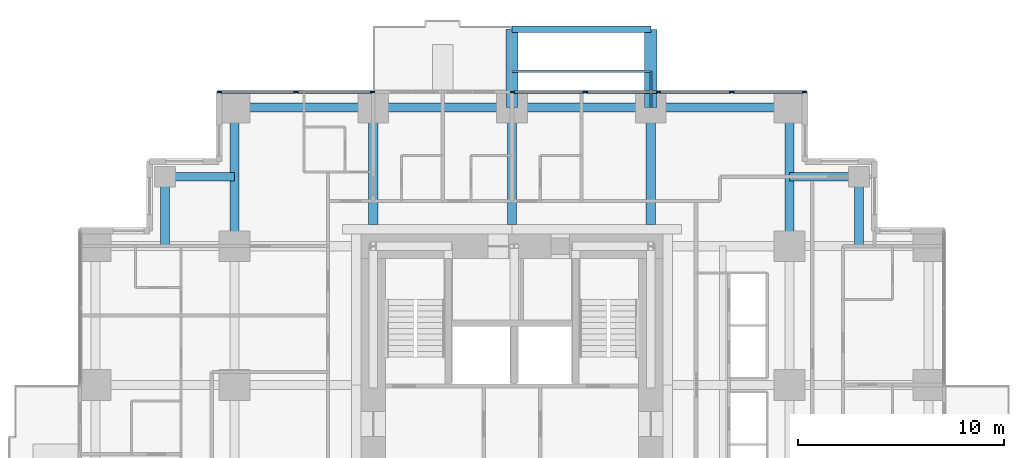
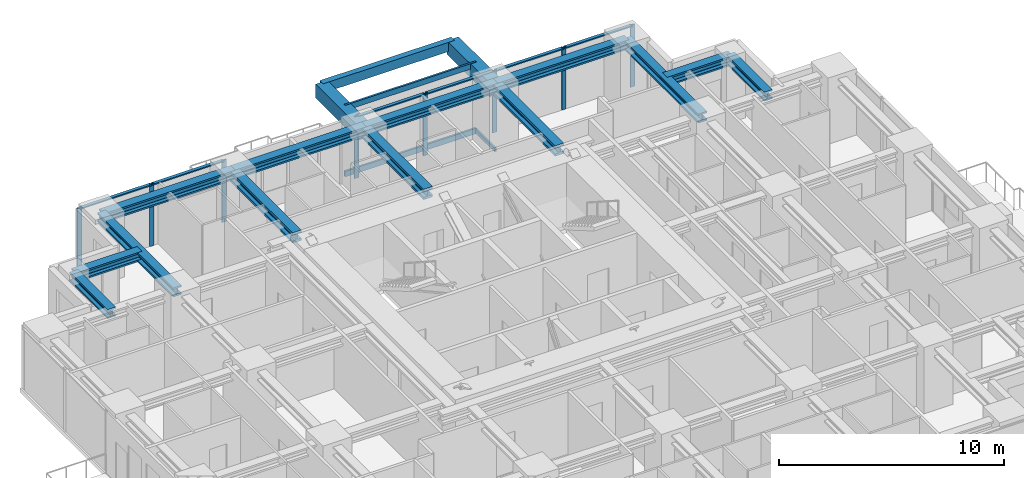
# One storey, part 5 of 13: 17 members, 16 beams, 2 elements without a shape of their own.
"""IFC4 building model written with IfcOpenShell, lengths in metres."""

import ifcopenshell
import ifcopenshell.guid

model = None  # the IFC model being written
_history = None  # IfcOwnerHistory: only IFC2X3 demands one
_inside = {}  # id of a spatial element -> (the spatial element, [elements in it])
_under = {}  # id of a project, library or spatial element -> (it, [spatial elements below it])
_declared = {}  # id of a project -> (the project, [libraries it declares])
_typed = {}  # id of a type object -> (the type object, [elements of that type])
_made_of = {}  # id of a material, layer set ... -> (it, [elements and type objects made of it])


def new_model(schema):
    """Start an empty IFC model of exactly this schema.

    Asked for "IFC4X3", IfcOpenShell would pick the latest addendum, in which some entities
    have other attributes; the version numbers below select the first issue.
    IFC2X3 requires an IfcOwnerHistory on every rooted entity: one is made here for all.
    """
    global model, _history
    if schema == "IFC4X3":
        model = ifcopenshell.file(schema_version=(4, 3, 0, 0))
    else:
        model = ifcopenshell.file(schema=schema)
    _inside.clear()
    _under.clear()
    _declared.clear()
    _typed.clear()
    _made_of.clear()
    _history = None
    if model.schema == "IFC2X3":
        org = make("IfcOrganization", Name="unknown")
        user = make(
            "IfcPersonAndOrganization",
            ThePerson=make("IfcPerson", FamilyName="unknown"),
            TheOrganization=org,
        )
        app = make(
            "IfcApplication",
            ApplicationDeveloper=org,
            Version="unknown",
            ApplicationFullName="unknown",
            ApplicationIdentifier="unknown",
        )
        _history = make(
            "IfcOwnerHistory",
            OwningUser=user,
            OwningApplication=app,
            ChangeAction="ADDED",
            CreationDate=0,
        )
    return model


def make(cls, **values):
    """One entity of the class cls with the attributes given. An attribute that is None is left unset."""
    return model.create_entity(
        cls, **{name: value for name, value in values.items() if value is not None}
    )


def rooted(cls, **values):
    """An entity with a GlobalId (a new one), such as an element, a storey or a relation."""
    return make(cls, GlobalId=ifcopenshell.guid.new(), OwnerHistory=_history, **values)


def si_unit(unit_type, name, prefix=None):
    """IfcSIUnit, for example si_unit("LENGTHUNIT", "METRE", prefix="MILLI")."""
    return make("IfcSIUnit", UnitType=unit_type, Prefix=prefix, Name=name)


def assignment(units):
    """IfcUnitAssignment: the units of a project."""
    return None if units is None else make("IfcUnitAssignment", Units=units)


def point(xyz):
    """IfcCartesianPoint."""
    return None if xyz is None else make("IfcCartesianPoint", Coordinates=xyz)


def direction(xyz):
    """IfcDirection."""
    return None if xyz is None else make("IfcDirection", DirectionRatios=xyz)


def frame(location, z_axis=None, x_axis=None):
    """IfcAxis2Placement3D, a coordinate frame: its origin and axes. An axis left out is left unset."""
    return make(
        "IfcAxis2Placement3D",
        Location=point(location),
        Axis=direction(z_axis),
        RefDirection=direction(x_axis),
    )


def frame_2d(location, x_axis=None):
    """IfcAxis2Placement2D, a coordinate frame in the plane: its origin and x axis."""
    return make(
        "IfcAxis2Placement2D", Location=point(location), RefDirection=direction(x_axis)
    )


def origin():
    """The frame at (0, 0, 0) with its axes left unset."""
    return frame((0.0, 0.0, 0.0))


def origin_2d():
    """The frame at (0, 0) in the plane with its x axis left unset."""
    return frame_2d((0.0, 0.0))


def place(relative_to, where):
    """IfcLocalPlacement: puts the frame where relative to a parent placement (None: the world)."""
    return make(
        "IfcLocalPlacement", PlacementRelTo=relative_to, RelativePlacement=where
    )


def context(
    kind, dimensions, precision=None, world=None, true_north=None, identifier=None
):
    """IfcGeometricRepresentationContext, for example the 3D "Model" context."""
    return make(
        "IfcGeometricRepresentationContext",
        ContextIdentifier=identifier,
        ContextType=kind,
        CoordinateSpaceDimension=dimensions,
        Precision=precision,
        WorldCoordinateSystem=world,
        TrueNorth=true_north,
    )


def subcontext(parent, identifier, kind, view, scale=None):
    """IfcGeometricRepresentationSubContext, for example "Body" below "Model"."""
    return make(
        "IfcGeometricRepresentationSubContext",
        ContextIdentifier=identifier,
        ContextType=kind,
        ParentContext=parent,
        TargetScale=scale,
        TargetView=view,
    )


def project(units=None, contexts=None):
    """IfcProject with its units and contexts."""
    return rooted(
        "IfcProject",
        Name="project",
        RepresentationContexts=contexts,
        UnitsInContext=assignment(units),
    )


def spatial(cls, under=None, at=None, **own):
    """A site, building, storey or space (cls), placed at a placement, below another one or the project."""
    s = rooted(cls, ObjectPlacement=at, **own)
    if under is not None:
        _under.setdefault(under.id(), (under, []))[1].append(s)
    return s


def profile(cls, at=None, kind="AREA", **sizes):
    """A parametric profile (cls). Its sizes go by their IFC names, for example OverallWidth=200.0."""
    return make(cls, ProfileType=kind, Position=at, **sizes)


def rectangle(**sizes):
    """IfcRectangleProfileDef."""
    return profile("IfcRectangleProfileDef", **sizes)


def hollow_rectangle(**sizes):
    """IfcRectangleHollowProfileDef."""
    return profile("IfcRectangleHollowProfileDef", **sizes)


def i_section(**sizes):
    """IfcIShapeProfileDef."""
    return profile("IfcIShapeProfileDef", **sizes)


def extrude(swept, where, along, depth):
    """IfcExtrudedAreaSolid: the profile swept, set in the frame where, extruded along a direction by depth."""
    return make(
        "IfcExtrudedAreaSolid",
        SweptArea=swept,
        Position=where,
        ExtrudedDirection=direction(along),
        Depth=depth,
    )


def shape(context_of_items, identifier, shape_type, items):
    """IfcShapeRepresentation: the items that make up one representation, for example the "Body"."""
    return make(
        "IfcShapeRepresentation",
        ContextOfItems=context_of_items,
        RepresentationIdentifier=identifier,
        RepresentationType=shape_type,
        Items=items,
    )


def material(Name=None, Category=None):
    """IfcMaterial."""
    return make("IfcMaterial", Name=Name, Category=Category)


def material_profile(
    of_material, cross_section, Name=None, Category=None, Priority=None
):
    """IfcMaterialProfile: a cross section and its material."""
    return make(
        "IfcMaterialProfile",
        Name=Name,
        Material=of_material,
        Profile=cross_section,
        Priority=Priority,
        Category=Category,
    )


def profile_set(profiles, Name=None, composite=None):
    """IfcMaterialProfileSet."""
    return make(
        "IfcMaterialProfileSet",
        Name=Name,
        MaterialProfiles=profiles,
        CompositeProfile=composite,
    )


def made_of(thing, what):
    """Note that an element or type object is made of a material, layer set ...; save() writes the relation."""
    if what is not None:
        _made_of.setdefault(what.id(), (what, []))[1].append(thing)
    return thing


def type_object(cls, material=None, **own):
    """A type object (cls), such as IfcWallType, which elements share."""
    return made_of(rooted(cls, **own), material)


def element(
    cls,
    number,
    at=None,
    inside=None,
    cuts=None,
    type_object=None,
    material=None,
    context=None,
    identifier="Body",
    shape_type=None,
    held_by="IfcProductDefinitionShape",
    body=None,
    shapes=None,
    **own,
):
    """One element of the class cls, such as IfcWall. Its Tag is "e" and its number.

    at: its placement. inside: the storey or other place that contains it. cuts: it is an
    opening in that element (IfcRelVoidsElement). A single representation is given by context,
    identifier, shape_type and body (its items); several are given by shapes. held_by: the class
    of the entity that holds the representations. save() writes the other relations.
    """
    e = rooted(cls, Tag="e%d" % number, ObjectPlacement=at, **own)
    if body is not None:
        shapes = [shape(context, identifier, shape_type, body)]
    if shapes is not None:
        e.Representation = make(held_by, Representations=shapes)
    if inside is not None:
        _inside.setdefault(inside.id(), (inside, []))[1].append(e)
    if cuts is not None:
        rooted(
            "IfcRelVoidsElement", RelatingBuildingElement=cuts, RelatedOpeningElement=e
        )
    if type_object is not None:
        _typed.setdefault(type_object.id(), (type_object, []))[1].append(e)
    return made_of(e, material)


def aggregate(whole, parts):
    """IfcRelAggregates: a whole, such as a stair, and the parts it consists of."""
    return rooted("IfcRelAggregates", RelatingObject=whole, RelatedObjects=parts)


def save(model, path):
    """Write the relations noted so far, then the file.

    IfcRelAggregates (storeys below a building ...), IfcRelContainedInSpatialStructure (elements
    in a storey), IfcRelDefinesByType, IfcRelAssociatesMaterial and IfcRelDeclares: one each for
    every whole, place, type object, material and project.
    """
    for whole, parts in _under.values():
        aggregate(whole, parts)
    for where, things in _inside.values():
        rooted(
            "IfcRelContainedInSpatialStructure",
            RelatedElements=things,
            RelatingStructure=where,
        )
    for kind, things in _typed.values():
        rooted("IfcRelDefinesByType", RelatedObjects=things, RelatingType=kind)
    for what, things in _made_of.values():
        rooted("IfcRelAssociatesMaterial", RelatedObjects=things, RelatingMaterial=what)
    for by, libraries in _declared.values():
        rooted("IfcRelDeclares", RelatingContext=by, RelatedDefinitions=libraries)
    model.write(path)


model = new_model("IFC4")

# Units and contexts
model_context = context("Model", 3, precision=1e-05, world=origin(), true_north=direction((0.0, 1.0)))
body_context = subcontext(model_context, "Body", "Model", "MODEL_VIEW")
ifc_project = project(units=[si_unit("LENGTHUNIT", "METRE"), si_unit("AREAUNIT", "SQUARE_METRE"), si_unit("VOLUMEUNIT", "CUBIC_METRE"), si_unit("PLANEANGLEUNIT", "RADIAN"), si_unit("MASSUNIT", "GRAM", prefix="KILO")], contexts=[model_context])

# Site, building, storey
site_placement = place(None, origin())
site = spatial("IfcSite", under=ifc_project, at=site_placement, CompositionType="ELEMENT")
building_placement = place(site_placement, origin())
building = spatial("IfcBuilding", under=site, at=building_placement, Name="Nyansa Garden Tower", CompositionType="ELEMENT")
storey_placement = place(building_placement, frame((0.0, 0.0, 116.10009765625)))
storey = spatial("IfcBuildingStorey", under=building, at=storey_placement, Name="L31", CompositionType="ELEMENT", Elevation=116.10009765625)

# Beams
ifc_material_1 = material(Name="Concrete C70/85", Category="concrete")
ifc_material_profile_1 = material_profile(ifc_material_1, rectangle(XDim=0.60009765625, YDim=0.75, at=origin_2d()), Name="RC 600x750")
ifc_profile_set_1 = profile_set([ifc_material_profile_1], Name="Concrete C70/85")
beam_type_1 = type_object("IfcBeamType", Name="Balcony cantilever beam CB1 RC 600x750", PredefinedType="BEAM", material=ifc_profile_set_1)
for number, where, z_axis, x_axis, name in (
    (1, (20.25, 33.75, 2.98486328125), (0.0, 1.0, 0.0), (-1.0, 0.0, 0.0), "Balcony cantilever beam L32"),
    (2, (27.0, 33.75, 2.98486328125), (0.0, 1.0, 0.0), (-1.0, 0.0, 0.0), "Balcony cantilever beam L32"),
):
    element("IfcBeam", number, at=place(storey_placement, frame(where, z_axis=z_axis, x_axis=x_axis)), inside=storey, type_object=beam_type_1, Name=name, PredefinedType="BEAM", context=body_context, shape_type="SweptSolid", body=[
        extrude(rectangle(XDim=0.60009765625, YDim=0.75, at=origin_2d()), origin(), (0.0, 0.0, 1.0), 3.800048828125),
    ])
ifc_material_2 = material(Name="Concrete C70/85", Category="concrete")
ifc_material_profile_2 = material_profile(ifc_material_2, rectangle(XDim=0.300048828125, YDim=0.5, at=origin_2d()), Name="RC 300x500")
ifc_profile_set_2 = profile_set([ifc_material_profile_2], Name="Concrete C70/85")
beam_type_2 = type_object("IfcBeamType", Name="Balcony edge beam BE1 RC 300x500", PredefinedType="BEAM", material=ifc_profile_set_2)
beam_placement = place(storey_placement, frame((20.25, 37.550048828125, 3.10986328125), z_axis=(1.0, 0.0, 0.0), x_axis=(0.0, 1.0, 0.0)))
element("IfcBeam", 3, at=beam_placement, inside=storey, type_object=beam_type_2, Name="Balcony edge beam L32", PredefinedType="BEAM", context=body_context, shape_type="SweptSolid", body=[
    extrude(rectangle(XDim=0.300048828125, YDim=0.5, at=origin_2d()), origin(), (0.0, 0.0, 1.0), 6.75),
])

# Curtain wall, members
ifc_material_3 = material(Name="Black anodised aluminium, dark tinted double glazing", Category="aluminium")
curtain_wall_type = type_object("IfcCurtainWallType", Name="Inner skin curtain wall ISW-B", PredefinedType="USERDEFINED", material=ifc_material_3)
curtain_wall_1_placement = place(storey_placement, origin())
curtain_wall_1 = element("IfcCurtainWall", 4, at=curtain_wall_1_placement, inside=storey, type_object=curtain_wall_type, Name="Inner skin curtain wall L31 N", ObjectType="UNITISED CURTAIN WALL", PredefinedType="USERDEFINED")
ifc_material_4 = material(Name="Black anodised aluminium", Category="aluminium")
ifc_material_profile_3 = material_profile(ifc_material_4, rectangle(XDim=0.06494140625, YDim=0.22509765625, at=origin_2d()), Name="Mullion 225x65")
ifc_profile_set_3 = profile_set([ifc_material_profile_3], Name="Black anodised aluminium")
member_type_1 = type_object("IfcMemberType", Name="Mullion ISW-B 225x65", PredefinedType="MULLION", material=ifc_profile_set_3)
member_1_placement = place(storey_placement, frame((13.467529296875, 34.5, 0.0), z_axis=(0.0, 0.0, 1.0), x_axis=(0.0, -1.0, 0.0)))
member_1 = element("IfcMember", 5, at=member_1_placement, type_object=member_type_1, Name="ISW-B mullion 1", PredefinedType="MULLION", context=body_context, shape_type="SweptSolid", body=[
    extrude(rectangle(XDim=0.06494140625, YDim=0.22509765625, at=origin_2d()), origin(), (0.0, 0.0, 1.0), 3.375),
])
member_2_placement = place(storey_placement, frame((9.75, 34.5, 0.0), z_axis=(0.0, 0.0, 1.0), x_axis=(0.0, -1.0, 0.0)))
member_2 = element("IfcMember", 6, at=member_2_placement, type_object=member_type_1, Name="ISW-B mullion 2", PredefinedType="MULLION", context=body_context, shape_type="SweptSolid", body=[
    extrude(rectangle(XDim=0.06494140625, YDim=0.22509765625, at=origin_2d()), origin(), (0.0, 0.0, 1.0), 3.375),
])
member_3_placement = place(storey_placement, frame((6.032470703125, 34.5, 0.0), z_axis=(0.0, 0.0, 1.0), x_axis=(0.0, -1.0, 0.0)))
member_3 = element("IfcMember", 7, at=member_3_placement, type_object=member_type_1, Name="ISW-B mullion 3", PredefinedType="MULLION", context=body_context, shape_type="SweptSolid", body=[
    extrude(rectangle(XDim=0.06494140625, YDim=0.22509765625, at=origin_2d()), origin(), (0.0, 0.0, 1.0), 3.375),
])

curtain_wall_2_placement = place(storey_placement, origin())
curtain_wall_2 = element("IfcCurtainWall", 8, at=curtain_wall_2_placement, inside=storey, type_object=curtain_wall_type, Name="Inner skin curtain wall L31 N", ObjectType="UNITISED CURTAIN WALL", PredefinedType="USERDEFINED")
member_4_placement = place(storey_placement, frame((34.467529296875, 34.5, 0.0), z_axis=(0.0, 0.0, 1.0), x_axis=(0.0, -1.0, 0.0)))
member_4 = element("IfcMember", 9, at=member_4_placement, type_object=member_type_1, Name="ISW-B mullion 1", PredefinedType="MULLION", context=body_context, shape_type="SweptSolid", body=[
    extrude(rectangle(XDim=0.06494140625, YDim=0.22509765625, at=origin_2d()), origin(), (0.0, 0.0, 1.0), 3.375),
])
member_5_placement = place(storey_placement, frame((30.9375, 34.5, 0.0), z_axis=(0.0, 0.0, 1.0), x_axis=(0.0, -1.0, 0.0)))
member_5 = element("IfcMember", 10, at=member_5_placement, type_object=member_type_1, Name="ISW-B mullion 2", PredefinedType="MULLION", context=body_context, shape_type="SweptSolid", body=[
    extrude(rectangle(XDim=0.06494140625, YDim=0.22509765625, at=origin_2d()), origin(), (0.0, 0.0, 1.0), 3.375),
])
member_6_placement = place(storey_placement, frame((27.375, 34.5, 0.0), z_axis=(0.0, 0.0, 1.0), x_axis=(0.0, -1.0, 0.0)))
member_6 = element("IfcMember", 11, at=member_6_placement, type_object=member_type_1, Name="ISW-B mullion 3", PredefinedType="MULLION", context=body_context, shape_type="SweptSolid", body=[
    extrude(rectangle(XDim=0.06494140625, YDim=0.22509765625, at=origin_2d()), origin(), (0.0, 0.0, 1.0), 3.375),
])
member_7_placement = place(storey_placement, frame((23.8125, 34.5, 0.0), z_axis=(0.0, 0.0, 1.0), x_axis=(0.0, -1.0, 0.0)))
member_7 = element("IfcMember", 12, at=member_7_placement, type_object=member_type_1, Name="ISW-B mullion 4", PredefinedType="MULLION", context=body_context, shape_type="SweptSolid", body=[
    extrude(rectangle(XDim=0.06494140625, YDim=0.22509765625, at=origin_2d()), origin(), (0.0, 0.0, 1.0), 3.375),
])
member_8_placement = place(storey_placement, frame((20.282470703125, 34.5, 0.0), z_axis=(0.0, 0.0, 1.0), x_axis=(0.0, -1.0, 0.0)))
member_8 = element("IfcMember", 13, at=member_8_placement, type_object=member_type_1, Name="ISW-B mullion 5", PredefinedType="MULLION", context=body_context, shape_type="SweptSolid", body=[
    extrude(rectangle(XDim=0.06494140625, YDim=0.22509765625, at=origin_2d()), origin(), (0.0, 0.0, 1.0), 3.375),
])

# Members
ifc_material_5 = material(Name="Steel S355, black powder coated", Category="steel")
ifc_material_profile_4 = material_profile(ifc_material_5, hollow_rectangle(XDim=0.10009765625, YDim=0.199951171875, WallThickness=0.008056640625, at=origin_2d()), Name="RHS 200x100x8")
ifc_profile_set_4 = profile_set([ifc_material_profile_4], Name="Steel S355, black powder coated")
member_type_2 = type_object("IfcMemberType", Name="Outer skin bracket arm RHS 200x100x8", PredefinedType="USERDEFINED", material=ifc_profile_set_4)
member_9_placement = place(storey_placement, frame((27.0, 33.75, -0.375), z_axis=(0.0, 1.0, 0.0), x_axis=(-1.0, 0.0, 0.0)))
element("IfcMember", 14, at=member_9_placement, inside=storey, type_object=member_type_2, Name="Outer skin bracket arm", ObjectType="OUTER SKIN BRACKET", PredefinedType="USERDEFINED", context=body_context, shape_type="SweptSolid", body=[
    extrude(hollow_rectangle(XDim=0.10009765625, YDim=0.199951171875, WallThickness=0.008056640625, at=origin_2d()), origin(), (0.0, 0.0, 1.0), 1.75),
])
ifc_material_6 = material(Name="Steel S355, black powder coated", Category="steel")
ifc_material_profile_5 = material_profile(ifc_material_6, hollow_rectangle(XDim=0.10009765625, YDim=0.300048828125, WallThickness=0.010009765625, at=origin_2d()), Name="RHS 300x100x10")
ifc_profile_set_5 = profile_set([ifc_material_profile_5], Name="Steel S355, black powder coated")
member_type_3 = type_object("IfcMemberType", Name="Outer skin rail RHS 300x100x10", PredefinedType="USERDEFINED", material=ifc_profile_set_5)
for number, where, z_axis, x_axis, name in (
    (15, (20.25, 35.5, -0.375), (1.0, 0.0, 0.0), (0.0, 1.0, 0.0), "Outer skin rail L31"),
    (16, (20.25, 35.5, 3.224853515625), (1.0, 0.0, 0.0), (0.0, 1.0, 0.0), "Outer skin rail L31 head"),
):
    element("IfcMember", number, at=place(storey_placement, frame(where, z_axis=z_axis, x_axis=x_axis)), inside=storey, type_object=member_type_3, Name=name, ObjectType="OUTER SKIN RAIL", PredefinedType="USERDEFINED", context=body_context, shape_type="SweptSolid", body=[
        extrude(hollow_rectangle(XDim=0.10009765625, YDim=0.300048828125, WallThickness=0.010009765625, at=origin_2d()), origin(), (0.0, 0.0, 1.0), 6.75),
    ])

# Beams
ifc_material_7 = material(Name="Steel S355", Category="steel")
ifc_material_profile_6 = material_profile(ifc_material_7, i_section(OverallWidth=0.431884765625, OverallDepth=0.498046875, WebThickness=0.0556640625, FlangeThickness=0.0888671875, FilletRadius=0.014892578125, at=origin_2d()), Name="HD 400x744")
ifc_profile_set_6 = profile_set([ifc_material_profile_6], Name="Steel S355")
beam_type_3 = type_object("IfcBeamType", Name="Steel beam SBB1-744 HD 400x744", PredefinedType="BEAM", material=ifc_profile_set_6)
for number, where, z_axis, x_axis, name in (
    (17, (6.75, 27.0, 3.1259765625), (0.0, 1.0, 0.0), (-1.0, 0.0, 0.0), "Steel beam 3/H-3/J L32"),
    (18, (33.75, 27.0, 3.1259765625), (0.0, 1.0, 0.0), (-1.0, 0.0, 0.0), "Steel beam 7/H-7/J L32"),
):
    element("IfcBeam", number, at=place(storey_placement, frame(where, z_axis=z_axis, x_axis=x_axis)), inside=storey, type_object=beam_type_3, Name=name, PredefinedType="BEAM", context=body_context, shape_type="SweptSolid", body=[
        extrude(i_section(OverallWidth=0.431884765625, OverallDepth=0.498046875, WebThickness=0.0556640625, FlangeThickness=0.0888671875, FilletRadius=0.014892578125, at=origin_2d()), origin(), (0.0, 0.0, 1.0), 6.75),
    ])
ifc_material_8 = material(Name="Steel S355", Category="steel")
ifc_material_profile_7 = material_profile(ifc_material_8, i_section(OverallWidth=0.4541015625, OverallDepth=0.569091796875, WebThickness=0.077880859375, FlangeThickness=0.125, FilletRadius=0.014892578125, at=origin_2d()), Name="HD 400x1086")
ifc_profile_set_7 = profile_set([ifc_material_profile_7], Name="Steel S355")
beam_type_4 = type_object("IfcBeamType", Name="Steel beam SCL-1086 HD 400x1086", PredefinedType="BEAM", material=ifc_profile_set_7)
for number, where, z_axis, x_axis, name in (
    (19, (13.5, 28.050048828125, 3.09033203125), (0.0, 1.0, 0.0), (-1.0, 0.0, 0.0), "Steel beam 4/28.050-4/J L32"),
    (20, (20.25, 28.050048828125, 3.09033203125), (0.0, 1.0, 0.0), (-1.0, 0.0, 0.0), "Steel beam 5/28.050-5/J L32"),
    (21, (27.0, 28.050048828125, 3.09033203125), (0.0, 1.0, 0.0), (-1.0, 0.0, 0.0), "Steel beam 6/28.050-6/J L32"),
):
    element("IfcBeam", number, at=place(storey_placement, frame(where, z_axis=z_axis, x_axis=x_axis)), inside=storey, type_object=beam_type_4, Name=name, PredefinedType="BEAM", context=body_context, shape_type="SweptSolid", body=[
        extrude(i_section(OverallWidth=0.4541015625, OverallDepth=0.569091796875, WebThickness=0.077880859375, FlangeThickness=0.125, FilletRadius=0.014892578125, at=origin_2d()), origin(), (0.0, 0.0, 1.0), 5.699951171875),
    ])
ifc_material_9 = material(Name="Steel S355", Category="steel")
ifc_material_profile_8 = material_profile(ifc_material_9, i_section(OverallWidth=0.431884765625, OverallDepth=0.498046875, WebThickness=0.0556640625, FlangeThickness=0.0888671875, FilletRadius=0.014892578125, at=origin_2d()), Name="HD 400x744")
ifc_profile_set_8 = profile_set([ifc_material_profile_8], Name="Steel S355")
beam_type_5 = type_object("IfcBeamType", Name="Steel beam SEBB-744 HD 400x744", PredefinedType="BEAM", material=ifc_profile_set_8)
for number, where, z_axis, x_axis, name in (
    (22, (6.75, 33.75, 3.1259765625), (1.0, 0.0, 0.0), (0.0, 1.0, 0.0), "Steel edge beam 3/J-4/J L32"),
    (23, (13.5, 33.75, 3.1259765625), (1.0, 0.0, 0.0), (0.0, 1.0, 0.0), "Steel edge beam 4/J-5/J L32"),
    (24, (20.25, 33.75, 3.1259765625), (1.0, 0.0, 0.0), (0.0, 1.0, 0.0), "Steel edge beam 5/J-6/J L32"),
    (25, (27.0, 33.75, 3.1259765625), (1.0, 0.0, 0.0), (0.0, 1.0, 0.0), "Steel edge beam 6/J-7/J L32"),
):
    element("IfcBeam", number, at=place(storey_placement, frame(where, z_axis=z_axis, x_axis=x_axis)), inside=storey, type_object=beam_type_5, Name=name, PredefinedType="BEAM", context=body_context, shape_type="SweptSolid", body=[
        extrude(i_section(OverallWidth=0.431884765625, OverallDepth=0.498046875, WebThickness=0.0556640625, FlangeThickness=0.0888671875, FilletRadius=0.014892578125, at=origin_2d()), origin(), (0.0, 0.0, 1.0), 6.75),
    ])
ifc_material_10 = material(Name="Steel S355", Category="steel")
ifc_material_profile_9 = material_profile(ifc_material_10, i_section(OverallWidth=0.431884765625, OverallDepth=0.498046875, WebThickness=0.0556640625, FlangeThickness=0.0888671875, FilletRadius=0.014892578125, at=origin_2d()), Name="HD 400x744")
ifc_profile_set_9 = profile_set([ifc_material_profile_9], Name="Steel S355")
beam_type_6 = type_object("IfcBeamType", Name="Steel beam SSB1-744 HD 400x744", PredefinedType="BEAM", material=ifc_profile_set_9)
for number, where, z_axis, x_axis, name in (
    (26, (37.125, 30.375, 3.1259765625), (0.0, -1.0, 0.0), (1.0, 0.0, 0.0), "Steel step beam 37.125/30.375 L32"),
    (27, (37.125, 30.375, 3.1259765625), (-1.0, 0.0, 0.0), (0.0, -1.0, 0.0), "Steel step beam 37.125/30.375 L32"),
    (28, (3.375, 30.375, 3.1259765625), (0.0, -1.0, 0.0), (1.0, 0.0, 0.0), "Steel step beam 3.375/30.375 L32"),
    (29, (3.375, 30.375, 3.1259765625), (1.0, 0.0, 0.0), (0.0, 1.0, 0.0), "Steel step beam 3.375/30.375 L32"),
):
    element("IfcBeam", number, at=place(storey_placement, frame(where, z_axis=z_axis, x_axis=x_axis)), inside=storey, type_object=beam_type_6, Name=name, PredefinedType="BEAM", context=body_context, shape_type="SweptSolid", body=[
        extrude(i_section(OverallWidth=0.431884765625, OverallDepth=0.498046875, WebThickness=0.0556640625, FlangeThickness=0.0888671875, FilletRadius=0.014892578125, at=origin_2d()), origin(), (0.0, 0.0, 1.0), 3.375),
    ])

# Member
ifc_material_11 = material(Name="Black anodised aluminium", Category="aluminium")
ifc_material_profile_10 = material_profile(ifc_material_11, rectangle(XDim=0.1650390625, YDim=0.06494140625, at=origin_2d()), Name="Transom 165x65")
ifc_profile_set_10 = profile_set([ifc_material_profile_10], Name="Black anodised aluminium")
member_type_4 = type_object("IfcMemberType", Name="Transom ISW-B 165x65", PredefinedType="USERDEFINED", material=ifc_profile_set_10)
member_10_placement = place(storey_placement, frame((13.43505859375, 34.5, 3.34228515625), z_axis=(-1.0, 0.0, 0.0), x_axis=(0.0, -1.0, 0.0)))
member_10 = element("IfcMember", 30, at=member_10_placement, type_object=member_type_4, Name="ISW-B transom 1", ObjectType="TRANSOM", PredefinedType="USERDEFINED", context=body_context, shape_type="SweptSolid", body=[
    extrude(rectangle(XDim=0.1650390625, YDim=0.06494140625, at=origin_2d()), origin(), (0.0, 0.0, 1.0), 3.652587890625),
])

member_11_placement = place(storey_placement, frame((9.717529296875, 34.5, 3.34228515625), z_axis=(-1.0, 0.0, 0.0), x_axis=(0.0, -1.0, 0.0)))
member_11 = element("IfcMember", 31, at=member_11_placement, type_object=member_type_4, Name="ISW-B transom 2", ObjectType="TRANSOM", PredefinedType="USERDEFINED", context=body_context, shape_type="SweptSolid", body=[
    extrude(rectangle(XDim=0.1650390625, YDim=0.06494140625, at=origin_2d()), origin(), (0.0, 0.0, 1.0), 3.652587890625),
])

aggregate(curtain_wall_1, [member_1, member_2, member_3, member_10, member_11])

member_12_placement = place(storey_placement, frame((34.43505859375, 34.5, 3.34228515625), z_axis=(-1.0, 0.0, 0.0), x_axis=(0.0, -1.0, 0.0)))
member_12 = element("IfcMember", 32, at=member_12_placement, type_object=member_type_4, Name="ISW-B transom 1", ObjectType="TRANSOM", PredefinedType="USERDEFINED", context=body_context, shape_type="SweptSolid", body=[
    extrude(rectangle(XDim=0.1650390625, YDim=0.06494140625, at=origin_2d()), origin(), (0.0, 0.0, 1.0), 3.465087890625),
])

member_13_placement = place(storey_placement, frame((30.905029296875, 34.5, 3.34228515625), z_axis=(-1.0, 0.0, 0.0), x_axis=(0.0, -1.0, 0.0)))
member_13 = element("IfcMember", 33, at=member_13_placement, type_object=member_type_4, Name="ISW-B transom 2", ObjectType="TRANSOM", PredefinedType="USERDEFINED", context=body_context, shape_type="SweptSolid", body=[
    extrude(rectangle(XDim=0.1650390625, YDim=0.06494140625, at=origin_2d()), origin(), (0.0, 0.0, 1.0), 3.49755859375),
])

member_14_placement = place(storey_placement, frame((27.342529296875, 34.5, 3.34228515625), z_axis=(-1.0, 0.0, 0.0), x_axis=(0.0, -1.0, 0.0)))
member_14 = element("IfcMember", 34, at=member_14_placement, type_object=member_type_4, Name="ISW-B transom 3", ObjectType="TRANSOM", PredefinedType="USERDEFINED", context=body_context, shape_type="SweptSolid", body=[
    extrude(rectangle(XDim=0.1650390625, YDim=0.06494140625, at=origin_2d()), origin(), (0.0, 0.0, 1.0), 3.49755859375),
])

member_15_placement = place(storey_placement, frame((23.780029296875, 34.5, 3.34228515625), z_axis=(-1.0, 0.0, 0.0), x_axis=(0.0, -1.0, 0.0)))
member_15 = element("IfcMember", 35, at=member_15_placement, type_object=member_type_4, Name="ISW-B transom 4", ObjectType="TRANSOM", PredefinedType="USERDEFINED", context=body_context, shape_type="SweptSolid", body=[
    extrude(rectangle(XDim=0.1650390625, YDim=0.06494140625, at=origin_2d()), origin(), (0.0, 0.0, 1.0), 3.465087890625),
])

aggregate(curtain_wall_2, [member_4, member_5, member_6, member_7, member_8, member_12, member_13, member_14, member_15])

save(model, "model.ifc")
